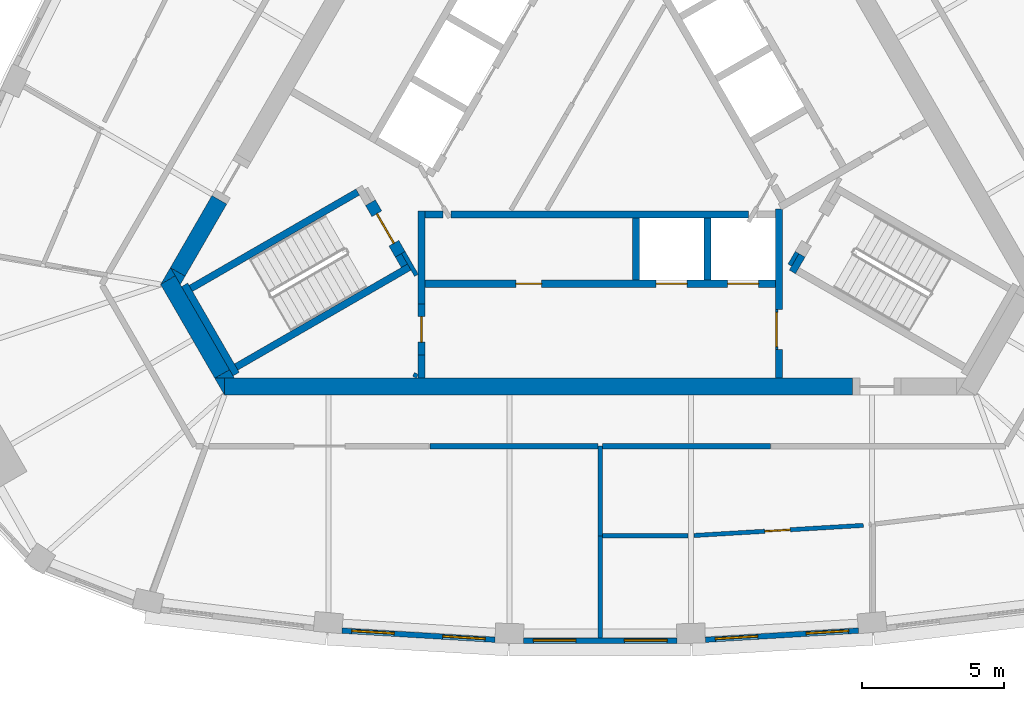
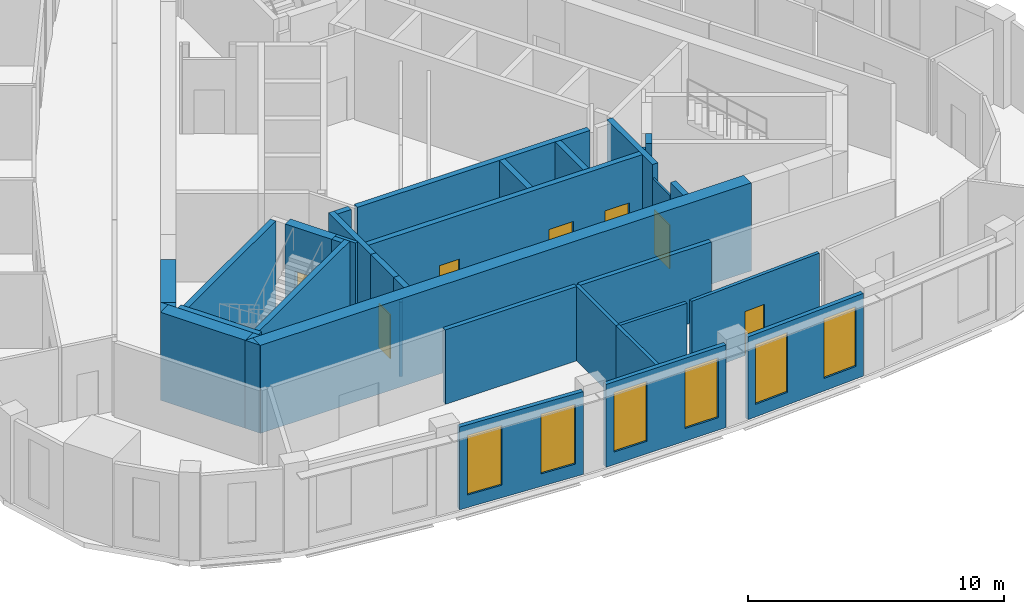
# One storey, part 3 of 10: 36 walls, 7 doors, 6 windows, 13 openings.
"""IFC4 building model written with IfcOpenShell, lengths in metres."""

from ifc_helpers import new_model, si_unit, direction, frame, frame_2d, origin, place, context, subcontext, project, spatial, polyline, rectangle, outline, extrude, material, layer, layer_set, type_object, element, fill, save


model = new_model("IFC4")

# Units and contexts
model_context = context("Model", 3, precision=1e-05, world=origin(), true_north=direction((0.0, 1.0)))
body_context = subcontext(model_context, "Body", "Model", "MODEL_VIEW")
ifc_project = project(units=[si_unit("LENGTHUNIT", "METRE"), si_unit("AREAUNIT", "SQUARE_METRE"), si_unit("VOLUMEUNIT", "CUBIC_METRE"), si_unit("PLANEANGLEUNIT", "RADIAN"), si_unit("MASSUNIT", "GRAM", prefix="KILO")], contexts=[model_context])

# Site, building, storey
site_placement = place(None, origin())
site = spatial("IfcSite", under=ifc_project, at=site_placement, CompositionType="ELEMENT")
building_placement = place(site_placement, origin())
building = spatial("IfcBuilding", under=site, at=building_placement, Name="Mestral Congress Tower", CompositionType="ELEMENT")
storey_placement = place(building_placement, frame((0.0, 0.0, 300.60009765625)))
storey = spatial("IfcBuildingStorey", under=building, at=storey_placement, Name="L70", CompositionType="ELEMENT", Elevation=300.60009765625)

# Walls
ifc_material_1 = material(Name="Fire-rated board partition")
ifc_layer_1 = layer(ifc_material_1, 0.14990234375)
ifc_layer_set_1 = layer_set([ifc_layer_1], Name="Fire-rated board partition")
wall_type_1 = type_object("IfcWallType", Name="Core partition 150", PredefinedType="PARTITIONING", material=ifc_layer_set_1)
wall_1_placement = place(storey_placement, frame((6.94482421875, -5.22216796875, 0.0), z_axis=(0.0, 0.0, 1.0), x_axis=(-0.499818422106, -0.866130212453, 0.0)))
element("IfcWall", 1, at=wall_1_placement, inside=storey, type_object=wall_type_1, Name="L70 core wall", PredefinedType="PARTITIONING", context=body_context, shape_type="SweptSolid", body=[
    extrude(rectangle(XDim=0.513916015625, YDim=0.14990234375, at=frame_2d((0.2568359375, 0.0))), origin(), (0.0, 0.0, 1.0), 3.5498046875),
])
wall_2_placement = place(storey_placement, frame((-6.552978515625, -9.6181640625, 0.0), z_axis=(0.0, 0.0, 1.0), x_axis=(0.499915430684, 0.866074224396, 0.0)))
element("IfcWall", 2, at=wall_2_placement, inside=storey, type_object=wall_type_1, Name="L70 core wall", PredefinedType="PARTITIONING", context=body_context, shape_type="SweptSolid", body=[
    extrude(rectangle(XDim=0.14599609375, YDim=0.14990234375, at=frame_2d((0.072998046875, 0.0))), origin(), (0.0, 0.0, 1.0), 3.5498046875),
])

# Wall, opening, door
ifc_layer_2 = layer(ifc_material_1, 0.090087890625)
ifc_layer_set_2 = layer_set([ifc_layer_2], Name="Fire-rated board partition")
wall_type_2 = type_object("IfcWallType", Name="Core partition 150 door-wall 90", PredefinedType="PARTITIONING", material=ifc_layer_set_2)
wall_3_placement = place(storey_placement, frame((6.219970703125, -7.23681640625, 0.0), z_axis=(0.0, 0.0, 1.0), x_axis=(0.0, -1.0, 0.0)))
wall_3 = element("IfcWall", 3, at=wall_3_placement, inside=storey, type_object=wall_type_2, Name="L70 door wall", PredefinedType="PARTITIONING", context=body_context, shape_type="SweptSolid", body=[
    extrude(rectangle(XDim=1.400146484375, YDim=0.090087890625, at=frame_2d((0.7001953125, 0.0))), origin(), (0.0, 0.0, 1.0), 3.5498046875),
])
opening_1_placement = place(wall_3_placement, frame((0.10009765625, 0.0, 0.0)))
opening_1 = element("IfcOpeningElement", 4, at=opening_1_placement, cuts=wall_3, Name="Opening LB0-WL1", PredefinedType="OPENING", context=body_context, shape_type="SweptSolid", body=[
    extrude(rectangle(XDim=1.199951171875, YDim=2.10009765625, at=frame_2d((0.60009765625, 1.050048828125))), frame((0.0, 0.054931640625, 0.0), z_axis=(0.0, -1.0, 0.0), x_axis=(1.0, 0.0, 0.0)), (0.0, 0.0, 1.0), 0.110107421875),
])
ifc_material_2 = material(Name="Fire-rated steel door set", Category="steel")
door_type_1 = type_object("IfcDoorType", Name="Core door LB 1200x2100", OperationType="SINGLE_SWING_LEFT", PredefinedType="DOOR", material=ifc_material_2)
door_1_placement = place(opening_1_placement, origin())
door_1 = element("IfcDoor", 5, at=door_1_placement, inside=storey, type_object=door_type_1, Name="Door LB0-WL1", OperationType="SINGLE_SWING_LEFT", OverallHeight=2.10009765625, OverallWidth=1.199951171875, PredefinedType="DOOR", context=body_context, shape_type="SweptSolid", body=[
    extrude(rectangle(XDim=1.199951171875, YDim=2.10009765625, at=frame_2d((0.60009765625, 1.050048828125))), frame((0.0, 0.02490234375, 0.0), z_axis=(0.0, -1.0, 0.0), x_axis=(1.0, 0.0, 0.0)), (0.0, 0.0, 1.0), 0.050048828125),
])
fill(opening_1, door_1)

# Walls
ifc_material_3 = material(Name="Concrete C60/75", Category="concrete")
ifc_layer_3 = layer(ifc_material_3, 0.60009765625)
ifc_layer_set_3 = layer_set([ifc_layer_3], Name="Concrete C60/75")
wall_type_3 = type_object("IfcWallType", Name="Core wall RC 600", PredefinedType="SOLIDWALL", material=ifc_layer_set_3)
wall_4_placement = place(storey_placement, frame((8.904296875, -9.949951171875, 0.0), z_axis=(0.0, 0.0, 1.0), x_axis=(-1.0, 0.0, 0.0)))
element("IfcWall", 6, at=wall_4_placement, inside=storey, type_object=wall_type_3, Name="L70 core wall", PredefinedType="SOLIDWALL", context=body_context, shape_type="SweptSolid", body=[
    extrude(rectangle(XDim=22.160888671875, YDim=0.60009765625, at=frame_2d((11.08056640625, 0.0))), origin(), (0.0, 0.0, 1.0), 4.199951171875),
])
placement = place(storey_placement, origin())
element("IfcWall", 7, at=placement, inside=storey, type_object=wall_type_3, Name="L70 core wall", PredefinedType="SOLIDWALL", context=body_context, shape_type="SweptSolid", body=[
    extrude(outline(polyline([(-13.5966796875, -9.64990234375), (-13.258544921875, -9.64990234375), (-13.258544921875, -10.235595703125), (-13.5966796875, -9.64990234375)])), origin(), (0.0, 0.0, 1.0), 4.199951171875),
])
wall_6_placement = place(storey_placement, frame((-13.33349609375, -9.505615234375, 0.0), z_axis=(0.0, 0.0, 1.0), x_axis=(-0.500019073792, 0.866014391245, 0.0)))
element("IfcWall", 8, at=wall_6_placement, inside=storey, type_object=wall_type_3, Name="L70 core wall", PredefinedType="SOLIDWALL", context=body_context, shape_type="SweptSolid", body=[
    extrude(rectangle(XDim=3.823486328125, YDim=0.60009765625, at=frame_2d((1.91162109375, 0.0))), origin(), (0.0, 0.0, 1.0), 4.199951171875),
])
element("IfcWall", 9, at=placement, inside=storey, type_object=wall_type_3, Name="L70 core wall", PredefinedType="SOLIDWALL", context=body_context, shape_type="SweptSolid", body=[
    extrude(outline(polyline([(-14.986572265625, -6.042724609375), (-15.493408203125, -6.33544921875), (-15.155517578125, -5.75), (-14.986572265625, -6.042724609375)])), origin(), (0.0, 0.0, 1.0), 4.199951171875),
])
element("IfcWall", 10, at=placement, inside=storey, type_object=wall_type_3, Name="L70 core wall", PredefinedType="SOLIDWALL", context=body_context, shape_type="SweptSolid", body=[
    extrude(outline(polyline([(-12.90380859375, -9.64990234375), (-13.579833984375, -9.64990234375), (-13.07275390625, -9.357421875), (-12.90380859375, -9.64990234375)])), origin(), (0.0, 0.0, 1.0), 4.199951171875),
])
wall_9_placement = place(storey_placement, frame((-13.431640625, -3.3642578125, 0.0), z_axis=(0.0, 0.0, 1.0), x_axis=(-0.499960127962, -0.866048422692, 0.0)))
element("IfcWall", 11, at=wall_9_placement, inside=storey, type_object=wall_type_3, Name="L70 core wall", PredefinedType="SOLIDWALL", context=body_context, shape_type="SweptSolid", body=[
    extrude(rectangle(XDim=2.934326171875, YDim=0.60009765625, at=frame_2d((1.46728515625, 0.0))), origin(), (0.0, 0.0, 1.0), 4.199951171875),
])
element("IfcWall", 12, at=placement, inside=storey, type_object=wall_type_3, Name="L70 core wall", PredefinedType="SOLIDWALL", context=body_context, shape_type="SweptSolid", body=[
    extrude(outline(polyline([(-14.80908203125, -6.35009765625), (-15.147216796875, -5.764404296875), (-14.639892578125, -6.057373046875), (-14.80908203125, -6.35009765625)])), origin(), (0.0, 0.0, 1.0), 4.199951171875),
])

# Wall, openings, windows
ifc_material_4 = material(Name="Precast concrete C40/50 with limestone facing", Category="masonry")
ifc_layer_4 = layer(ifc_material_4, 0.18994140625)
ifc_layer_set_4 = layer_set([ifc_layer_4], Name="Precast concrete C40/50 with limestone facing")
wall_type_4 = type_object("IfcWallType", Name="Facade stone wall 190", PredefinedType="SOLIDWALL", material=ifc_layer_set_4)
wall_11_placement = place(storey_placement, frame((-9.106689453125, -18.557861328125, 0.0), z_axis=(0.0, 0.0, 1.0), x_axis=(0.998221492823, -0.059614186786, 0.0)))
wall_11 = element("IfcWall", 13, at=wall_11_placement, inside=storey, type_object=wall_type_4, Name="Facade wall F0-01", PredefinedType="SOLIDWALL", context=body_context, shape_type="SweptSolid", body=[
    extrude(rectangle(XDim=5.40576171875, YDim=0.18994140625, at=frame_2d((2.702880859375, 0.0))), origin(), (0.0, 0.0, 1.0), 3.949951171875),
])
opening_2_placement = place(wall_11_placement, frame((0.346435546875, 0.0, 0.60009765625)))
opening_2 = element("IfcOpeningElement", 14, at=opening_2_placement, cuts=wall_11, Name="Opening W6", PredefinedType="OPENING", context=body_context, shape_type="SweptSolid", body=[
    extrude(rectangle(XDim=1.5, YDim=2.85009765625, at=frame_2d((0.75, 1.425048828125))), frame((0.0, 0.10498046875, 0.0), z_axis=(0.0, -1.0, 0.0), x_axis=(1.0, 0.0, 0.0)), (0.0, 0.0, 1.0), 0.2099609375),
])
opening_3_placement = place(wall_11_placement, frame((3.559326171875, 0.0, 0.60009765625)))
opening_3 = element("IfcOpeningElement", 15, at=opening_3_placement, cuts=wall_11, Name="Opening W6", PredefinedType="OPENING", context=body_context, shape_type="SweptSolid", body=[
    extrude(rectangle(XDim=1.5, YDim=2.85009765625, at=frame_2d((0.75, 1.425048828125))), frame((0.0, 0.10498046875, 0.0), z_axis=(0.0, -1.0, 0.0), x_axis=(1.0, 0.0, 0.0)), (0.0, 0.0, 1.0), 0.2099609375),
])
ifc_material_5 = material(Name="Clear low-emissivity double glazing", Category="glass")
window_type = type_object("IfcWindowType", Name="Facade punched window 1500 x 2850 sill 600", PartitioningType="SINGLE_PANEL", PredefinedType="WINDOW", material=ifc_material_5)
window_1_placement = place(opening_2_placement, origin())
window_1 = element("IfcWindow", 16, at=window_1_placement, inside=storey, type_object=window_type, Name="Window F0-01a", OverallHeight=2.85009765625, OverallWidth=1.5, PartitioningType="SINGLE_PANEL", PredefinedType="WINDOW", context=body_context, shape_type="SweptSolid", body=[
    extrude(rectangle(XDim=1.5, YDim=2.85009765625, at=frame_2d((0.75, 1.425048828125))), frame((0.0, 0.044921875, 0.0), z_axis=(0.0, -1.0, 0.0), x_axis=(1.0, 0.0, 0.0)), (0.0, 0.0, 1.0), 0.06005859375),
])
fill(opening_2, window_1)
window_2_placement = place(opening_3_placement, origin())
window_2 = element("IfcWindow", 17, at=window_2_placement, inside=storey, type_object=window_type, Name="Window F0-01b", OverallHeight=2.85009765625, OverallWidth=1.5, PartitioningType="SINGLE_PANEL", PredefinedType="WINDOW", context=body_context, shape_type="SweptSolid", body=[
    extrude(rectangle(XDim=1.5, YDim=2.85009765625, at=frame_2d((0.75, 1.425048828125))), frame((0.0, 0.044921875, 0.0), z_axis=(0.0, -1.0, 0.0), x_axis=(1.0, 0.0, 0.0)), (0.0, 0.0, 1.0), 0.06005859375),
])
fill(opening_3, window_2)

wall_12_placement = place(storey_placement, frame((-2.702880859375, -18.91015625, 0.0), z_axis=(0.0, 0.0, 1.0), x_axis=(1.0, 0.0, 0.0)))
wall_12 = element("IfcWall", 18, at=wall_12_placement, inside=storey, type_object=wall_type_4, Name="Facade wall F0-02", PredefinedType="SOLIDWALL", context=body_context, shape_type="SweptSolid", body=[
    extrude(rectangle(XDim=5.40576171875, YDim=0.18994140625, at=frame_2d((2.702880859375, 0.0))), origin(), (0.0, 0.0, 1.0), 3.949951171875),
])
opening_4_placement = place(wall_12_placement, frame((0.346435546875, 0.0, 0.60009765625)))
opening_4 = element("IfcOpeningElement", 19, at=opening_4_placement, cuts=wall_12, Name="Opening W6", PredefinedType="OPENING", context=body_context, shape_type="SweptSolid", body=[
    extrude(rectangle(XDim=1.5, YDim=2.85009765625, at=frame_2d((0.75, 1.425048828125))), frame((0.0, 0.10498046875, 0.0), z_axis=(0.0, -1.0, 0.0), x_axis=(1.0, 0.0, 0.0)), (0.0, 0.0, 1.0), 0.2099609375),
])
opening_5_placement = place(wall_12_placement, frame((3.5595703125, 0.0, 0.60009765625)))
opening_5 = element("IfcOpeningElement", 20, at=opening_5_placement, cuts=wall_12, Name="Opening W6", PredefinedType="OPENING", context=body_context, shape_type="SweptSolid", body=[
    extrude(rectangle(XDim=1.5, YDim=2.85009765625, at=frame_2d((0.75, 1.425048828125))), frame((0.0, 0.10498046875, 0.0), z_axis=(0.0, -1.0, 0.0), x_axis=(1.0, 0.0, 0.0)), (0.0, 0.0, 1.0), 0.2099609375),
])
window_3_placement = place(opening_4_placement, origin())
window_3 = element("IfcWindow", 21, at=window_3_placement, inside=storey, type_object=window_type, Name="Window F0-02a", OverallHeight=2.85009765625, OverallWidth=1.5, PartitioningType="SINGLE_PANEL", PredefinedType="WINDOW", context=body_context, shape_type="SweptSolid", body=[
    extrude(rectangle(XDim=1.5, YDim=2.85009765625, at=frame_2d((0.75, 1.425048828125))), frame((0.0, 0.044921875, 0.0), z_axis=(0.0, -1.0, 0.0), x_axis=(1.0, 0.0, 0.0)), (0.0, 0.0, 1.0), 0.06005859375),
])
fill(opening_4, window_3)
window_4_placement = place(opening_5_placement, origin())
window_4 = element("IfcWindow", 22, at=window_4_placement, inside=storey, type_object=window_type, Name="Window F0-02b", OverallHeight=2.85009765625, OverallWidth=1.5, PartitioningType="SINGLE_PANEL", PredefinedType="WINDOW", context=body_context, shape_type="SweptSolid", body=[
    extrude(rectangle(XDim=1.5, YDim=2.85009765625, at=frame_2d((0.75, 1.425048828125))), frame((0.0, 0.044921875, 0.0), z_axis=(0.0, -1.0, 0.0), x_axis=(1.0, 0.0, 0.0)), (0.0, 0.0, 1.0), 0.06005859375),
])
fill(opening_5, window_4)

wall_13_placement = place(storey_placement, frame((3.71044921875, -18.880126953125, 0.0), z_axis=(0.0, 0.0, 1.0), x_axis=(0.998221492823, 0.059614186786, 0.0)))
wall_13 = element("IfcWall", 23, at=wall_13_placement, inside=storey, type_object=wall_type_4, Name="Facade wall F0-03", PredefinedType="SOLIDWALL", context=body_context, shape_type="SweptSolid", body=[
    extrude(rectangle(XDim=5.40576171875, YDim=0.18994140625, at=frame_2d((2.702880859375, 0.0))), origin(), (0.0, 0.0, 1.0), 3.949951171875),
])
opening_6_placement = place(wall_13_placement, frame((0.346435546875, 0.0, 0.60009765625)))
opening_6 = element("IfcOpeningElement", 24, at=opening_6_placement, cuts=wall_13, Name="Opening W6", PredefinedType="OPENING", context=body_context, shape_type="SweptSolid", body=[
    extrude(rectangle(XDim=1.5, YDim=2.85009765625, at=frame_2d((0.75, 1.425048828125))), frame((0.0, 0.10498046875, 0.0), z_axis=(0.0, -1.0, 0.0), x_axis=(1.0, 0.0, 0.0)), (0.0, 0.0, 1.0), 0.2099609375),
])
opening_7_placement = place(wall_13_placement, frame((3.559326171875, 0.0, 0.60009765625)))
opening_7 = element("IfcOpeningElement", 25, at=opening_7_placement, cuts=wall_13, Name="Opening W6", PredefinedType="OPENING", context=body_context, shape_type="SweptSolid", body=[
    extrude(rectangle(XDim=1.5, YDim=2.85009765625, at=frame_2d((0.75, 1.425048828125))), frame((0.0, 0.10498046875, 0.0), z_axis=(0.0, -1.0, 0.0), x_axis=(1.0, 0.0, 0.0)), (0.0, 0.0, 1.0), 0.2099609375),
])
window_5_placement = place(opening_6_placement, origin())
window_5 = element("IfcWindow", 26, at=window_5_placement, inside=storey, type_object=window_type, Name="Window F0-03a", OverallHeight=2.85009765625, OverallWidth=1.5, PartitioningType="SINGLE_PANEL", PredefinedType="WINDOW", context=body_context, shape_type="SweptSolid", body=[
    extrude(rectangle(XDim=1.5, YDim=2.85009765625, at=frame_2d((0.75, 1.425048828125))), frame((0.0, 0.044921875, 0.0), z_axis=(0.0, -1.0, 0.0), x_axis=(1.0, 0.0, 0.0)), (0.0, 0.0, 1.0), 0.06005859375),
])
fill(opening_6, window_5)
window_6_placement = place(opening_7_placement, origin())
window_6 = element("IfcWindow", 27, at=window_6_placement, inside=storey, type_object=window_type, Name="Window F0-03b", OverallHeight=2.85009765625, OverallWidth=1.5, PartitioningType="SINGLE_PANEL", PredefinedType="WINDOW", context=body_context, shape_type="SweptSolid", body=[
    extrude(rectangle(XDim=1.5, YDim=2.85009765625, at=frame_2d((0.75, 1.425048828125))), frame((0.0, 0.044921875, 0.0), z_axis=(0.0, -1.0, 0.0), x_axis=(1.0, 0.0, 0.0)), (0.0, 0.0, 1.0), 0.06005859375),
])
fill(opening_7, window_6)

# Walls
ifc_material_6 = material(Name="Plasterboard partition on steel studs", Category="steel")
ifc_layer_5 = layer(ifc_material_6, 0.14990234375)
ifc_layer_set_5 = layer_set([ifc_layer_5], Name="Plasterboard partition on steel studs")
wall_type_5 = type_object("IfcWallType", Name="Office partition 150", PredefinedType="PARTITIONING", material=ifc_layer_set_5)
wall_14_placement = place(storey_placement, frame((0.0, -15.211181640625, 0.0), z_axis=(0.0, 0.0, 1.0), x_axis=(0.0, -1.0, 0.0)))
element("IfcWall", 28, at=wall_14_placement, inside=storey, type_object=wall_type_5, Name="Partition", PredefinedType="PARTITIONING", context=body_context, shape_type="SweptSolid", body=[
    extrude(rectangle(XDim=3.60400390625, YDim=0.14990234375, at=frame_2d((1.802001953125, 0.0))), origin(), (0.0, 0.0, 1.0), 3.5498046875),
])
wall_15_placement = place(storey_placement, frame((0.0, -12.050048828125, 0.0), z_axis=(0.0, 0.0, 1.0), x_axis=(0.0, -1.0, 0.0)))
element("IfcWall", 29, at=wall_15_placement, inside=storey, type_object=wall_type_5, Name="Partition", PredefinedType="PARTITIONING", context=body_context, shape_type="SweptSolid", body=[
    extrude(rectangle(XDim=3.169189453125, YDim=0.14990234375, at=frame_2d((1.58447265625, 0.0))), origin(), (0.0, 0.0, 1.0), 3.5498046875),
])
wall_16_placement = place(storey_placement, frame((0.074951171875, -15.215087890625, 0.0), z_axis=(0.0, 0.0, 1.0), x_axis=(1.0, 0.0, 0.0)))
element("IfcWall", 30, at=wall_16_placement, inside=storey, type_object=wall_type_5, Name="Partition", PredefinedType="PARTITIONING", context=body_context, shape_type="SweptSolid", body=[
    extrude(rectangle(XDim=3.02197265625, YDim=0.14990234375, at=frame_2d((1.510986328125, 0.0))), origin(), (0.0, 0.0, 1.0), 3.5498046875),
])

# Wall, opening, door
wall_17_placement = place(storey_placement, frame((9.279541015625, -14.845947265625, 0.0), z_axis=(0.0, 0.0, 1.0), x_axis=(-0.998221600551, -0.059612382886, 0.0)))
wall_17 = element("IfcWall", 31, at=wall_17_placement, inside=storey, type_object=wall_type_5, Name="Partition", PredefinedType="PARTITIONING", context=body_context, shape_type="SweptSolid", body=[
    extrude(rectangle(XDim=5.9794921875, YDim=0.14990234375, at=frame_2d((2.98974609375, 0.0))), origin(), (0.0, 0.0, 1.0), 3.5498046875),
])
opening_8_placement = place(wall_17_placement, frame((2.57958984375, 0.0, 0.0)))
opening_8 = element("IfcOpeningElement", 32, at=opening_8_placement, cuts=wall_17, Name="Opening O13-002", PredefinedType="OPENING", context=body_context, shape_type="SweptSolid", body=[
    extrude(rectangle(XDim=0.89990234375, YDim=2.10009765625, at=frame_2d((0.449951171875, 1.050048828125))), frame((0.0, 0.0849609375, 0.0), z_axis=(0.0, -1.0, 0.0), x_axis=(1.0, 0.0, 0.0)), (0.0, 0.0, 1.0), 0.169921875),
])
ifc_material_7 = material(Name="Timber door set", Category="wood")
door_type_2 = type_object("IfcDoorType", Name="Office door 900x2100", OperationType="SINGLE_SWING_LEFT", PredefinedType="DOOR", material=ifc_material_7)
door_2_placement = place(opening_8_placement, origin())
door_2 = element("IfcDoor", 33, at=door_2_placement, inside=storey, type_object=door_type_2, Name="Door O13-002", OperationType="SINGLE_SWING_RIGHT", OverallHeight=2.10009765625, OverallWidth=0.89990234375, PredefinedType="DOOR", context=body_context, shape_type="SweptSolid", body=[
    extrude(rectangle(XDim=0.89990234375, YDim=2.10009765625, at=frame_2d((0.449951171875, 1.050048828125))), frame((0.0, 0.02490234375, 0.0), z_axis=(0.0, -1.0, 0.0), x_axis=(1.0, 0.0, 0.0)), (0.0, 0.0, 1.0), 0.050048828125),
])
fill(opening_8, door_2)

# Walls
ifc_material_8 = material(Name="Dense masonry wall, plastered", Category="masonry")
ifc_layer_6 = layer(ifc_material_8, 0.199951171875)
ifc_layer_set_6 = layer_set([ifc_layer_6], Name="Dense masonry wall, plastered")
wall_type_6 = type_object("IfcWallType", Name="Office tenancy wall 200", PredefinedType="PARTITIONING", material=ifc_layer_set_6)
for number, where, z_axis, x_axis, name in (
    (34, (-6.0, -12.050048828125, 0.0), (0.0, 0.0, 1.0), (1.0, 0.0, 0.0), "Tenancy wall"),
    (35, (0.074951171875, -12.050048828125, 0.0), (0.0, 0.0, 1.0), (1.0, 0.0, 0.0), "Tenancy wall"),
):
    element("IfcWall", number, at=place(storey_placement, frame(where, z_axis=z_axis, x_axis=x_axis)), inside=storey, type_object=wall_type_6, Name=name, PredefinedType="PARTITIONING", context=body_context, shape_type="SweptSolid", body=[
        extrude(rectangle(XDim=5.925048828125, YDim=0.199951171875, at=frame_2d((2.96240234375, 0.0))), origin(), (0.0, 0.0, 1.0), 3.5498046875),
    ])
ifc_layer_7 = layer(ifc_material_3, 0.25)
ifc_layer_set_7 = layer_set([ifc_layer_7], Name="Concrete C60/75")
wall_type_7 = type_object("IfcWallType", Name="Shaft wall RC 250", PredefinedType="SOLIDWALL", material=ifc_layer_set_7)
wall_18_placement = place(storey_placement, frame((6.300048828125, -7.239990234375, 0.0), z_axis=(0.0, 0.0, 1.0), x_axis=(0.0, 1.0, 0.0)))
element("IfcWall", 36, at=wall_18_placement, inside=storey, type_object=wall_type_7, Name="L70 core wall", PredefinedType="SOLIDWALL", context=body_context, shape_type="SweptSolid", body=[
    extrude(rectangle(XDim=3.55615234375, YDim=0.25, at=frame_2d((1.778076171875, 0.0))), origin(), (0.0, 0.0, 1.0), 4.199951171875),
])
wall_19_placement = place(storey_placement, frame((6.300048828125, -9.64990234375, 0.0), z_axis=(0.0, 0.0, 1.0), x_axis=(0.0, 1.0, 0.0)))
element("IfcWall", 37, at=wall_19_placement, inside=storey, type_object=wall_type_7, Name="L70 core wall", PredefinedType="SOLIDWALL", context=body_context, shape_type="SweptSolid", body=[
    extrude(rectangle(XDim=1.0078125, YDim=0.25, at=frame_2d((0.50390625, 0.0))), origin(), (0.0, 0.0, 1.0), 4.199951171875),
])
wall_20_placement = place(storey_placement, frame((-5.25927734375, -3.875, 0.0), z_axis=(0.0, 0.0, 1.0), x_axis=(1.0, 0.0, 0.0)))
element("IfcWall", 38, at=wall_20_placement, inside=storey, type_object=wall_type_7, Name="L70 core wall", PredefinedType="SOLIDWALL", context=body_context, shape_type="SweptSolid", body=[
    extrude(rectangle(XDim=10.488525390625, YDim=0.25, at=frame_2d((5.244140625, 0.0))), origin(), (0.0, 0.0, 1.0), 4.199951171875),
])
for number, where, z_axis, x_axis, name in (
    (39, (1.260009765625, -4.0, 0.0), (0.0, 0.0, 1.0), (0.0, -1.0, 0.0), "L70 core wall"),
    (40, (3.780029296875, -4.0, 0.0), (0.0, 0.0, 1.0), (0.0, -1.0, 0.0), "L70 core wall"),
):
    element("IfcWall", number, at=place(storey_placement, frame(where, z_axis=z_axis, x_axis=x_axis)), inside=storey, type_object=wall_type_7, Name=name, PredefinedType="SOLIDWALL", context=body_context, shape_type="SweptSolid", body=[
        extrude(rectangle(XDim=2.199951171875, YDim=0.25, at=frame_2d((1.10009765625, 0.0))), origin(), (0.0, 0.0, 1.0), 4.199951171875),
    ])
wall_21_placement = place(storey_placement, frame((-6.300048828125, -7.033447265625, 0.0), z_axis=(0.0, 0.0, 1.0), x_axis=(0.0, 1.0, 0.0)))
element("IfcWall", 41, at=wall_21_placement, inside=storey, type_object=wall_type_7, Name="L70 core wall", PredefinedType="SOLIDWALL", context=body_context, shape_type="SweptSolid", body=[
    extrude(rectangle(XDim=3.283447265625, YDim=0.25, at=frame_2d((1.6416015625, 0.0))), origin(), (0.0, 0.0, 1.0), 4.199951171875),
])
wall_22_placement = place(storey_placement, frame((-6.175048828125, -3.875, 0.0), z_axis=(0.0, 0.0, 1.0), x_axis=(1.0, 0.0, 0.0)))
element("IfcWall", 42, at=wall_22_placement, inside=storey, type_object=wall_type_7, Name="L70 core wall", PredefinedType="SOLIDWALL", context=body_context, shape_type="SweptSolid", body=[
    extrude(rectangle(XDim=0.63671875, YDim=0.25, at=frame_2d((0.318359375, 0.0))), origin(), (0.0, 0.0, 1.0), 4.199951171875),
])
wall_23_placement = place(storey_placement, frame((-6.300048828125, -9.64990234375, 0.0), z_axis=(0.0, 0.0, 1.0), x_axis=(0.0, 1.0, 0.0)))
element("IfcWall", 43, at=wall_23_placement, inside=storey, type_object=wall_type_7, Name="L70 core wall", PredefinedType="SOLIDWALL", context=body_context, shape_type="SweptSolid", body=[
    extrude(rectangle(XDim=0.816162109375, YDim=0.25, at=frame_2d((0.408203125, 0.0))), origin(), (0.0, 0.0, 1.0), 4.199951171875),
])

# Wall, openings, doors
wall_24_placement = place(storey_placement, frame((-6.175048828125, -6.324951171875, 0.0), z_axis=(0.0, 0.0, 1.0), x_axis=(1.0, 0.0, 0.0)))
wall_24 = element("IfcWall", 44, at=wall_24_placement, inside=storey, type_object=wall_type_7, Name="L70 door wall", PredefinedType="SOLIDWALL", context=body_context, shape_type="SweptSolid", body=[
    extrude(rectangle(XDim=12.35009765625, YDim=0.25, at=frame_2d((6.175048828125, 0.0))), origin(), (0.0, 0.0, 1.0), 4.199951171875),
])
opening_9_placement = place(wall_24_placement, frame((3.205078125, 0.0, 0.0)))
opening_9 = element("IfcOpeningElement", 45, at=opening_9_placement, cuts=wall_24, Name="Opening SR-SOB1", PredefinedType="OPENING", context=body_context, shape_type="SweptSolid", body=[
    extrude(rectangle(XDim=0.89990234375, YDim=2.10009765625, at=frame_2d((0.449951171875, 1.050048828125))), frame((0.0, 0.135009765625, 0.0), z_axis=(0.0, -1.0, 0.0), x_axis=(1.0, 0.0, 0.0)), (0.0, 0.0, 1.0), 0.27001953125),
])
opening_10_placement = place(wall_24_placement, frame((8.14501953125, 0.0, 0.0)))
opening_10 = element("IfcOpeningElement", 46, at=opening_10_placement, cuts=wall_24, Name="Opening LD-SOB4", PredefinedType="OPENING", context=body_context, shape_type="SweptSolid", body=[
    extrude(rectangle(XDim=1.10009765625, YDim=2.10009765625, at=frame_2d((0.550048828125, 1.050048828125))), frame((0.0, 0.135009765625, 0.0), z_axis=(0.0, -1.0, 0.0), x_axis=(1.0, 0.0, 0.0)), (0.0, 0.0, 1.0), 0.27001953125),
])
opening_11_placement = place(wall_24_placement, frame((10.6650390625, 0.0, 0.0)))
opening_11 = element("IfcOpeningElement", 47, at=opening_11_placement, cuts=wall_24, Name="Opening LD-SOB5", PredefinedType="OPENING", context=body_context, shape_type="SweptSolid", body=[
    extrude(rectangle(XDim=1.10009765625, YDim=2.10009765625, at=frame_2d((0.550048828125, 1.050048828125))), frame((0.0, 0.135009765625, 0.0), z_axis=(0.0, -1.0, 0.0), x_axis=(1.0, 0.0, 0.0)), (0.0, 0.0, 1.0), 0.27001953125),
])
door_type_3 = type_object("IfcDoorType", Name="Core door LD 1100x2100", OperationType="DOUBLE_DOOR_SLIDING", PredefinedType="DOOR", material=ifc_material_2)
door_3_placement = place(opening_10_placement, origin())
door_3 = element("IfcDoor", 48, at=door_3_placement, inside=storey, type_object=door_type_3, Name="Door LD-SOB4", OperationType="DOUBLE_DOOR_SLIDING", OverallHeight=2.10009765625, OverallWidth=1.10009765625, PredefinedType="DOOR", context=body_context, shape_type="SweptSolid", body=[
    extrude(rectangle(XDim=1.10009765625, YDim=2.10009765625, at=frame_2d((0.550048828125, 1.050048828125))), frame((0.0, 0.02490234375, 0.0), z_axis=(0.0, -1.0, 0.0), x_axis=(1.0, 0.0, 0.0)), (0.0, 0.0, 1.0), 0.050048828125),
])
fill(opening_10, door_3)
door_4_placement = place(opening_11_placement, origin())
door_4 = element("IfcDoor", 49, at=door_4_placement, inside=storey, type_object=door_type_3, Name="Door LD-SOB5", OperationType="DOUBLE_DOOR_SLIDING", OverallHeight=2.10009765625, OverallWidth=1.10009765625, PredefinedType="DOOR", context=body_context, shape_type="SweptSolid", body=[
    extrude(rectangle(XDim=1.10009765625, YDim=2.10009765625, at=frame_2d((0.550048828125, 1.050048828125))), frame((0.0, 0.02490234375, 0.0), z_axis=(0.0, -1.0, 0.0), x_axis=(1.0, 0.0, 0.0)), (0.0, 0.0, 1.0), 0.050048828125),
])
fill(opening_11, door_4)
door_type_4 = type_object("IfcDoorType", Name="Core door SR 900x2100", OperationType="SINGLE_SWING_LEFT", PredefinedType="DOOR", material=ifc_material_2)
door_5_placement = place(opening_9_placement, origin())
door_5 = element("IfcDoor", 50, at=door_5_placement, inside=storey, type_object=door_type_4, Name="Door SR-SOB1", OperationType="SINGLE_SWING_LEFT", OverallHeight=2.10009765625, OverallWidth=0.89990234375, PredefinedType="DOOR", context=body_context, shape_type="SweptSolid", body=[
    extrude(rectangle(XDim=0.89990234375, YDim=2.10009765625, at=frame_2d((0.449951171875, 1.050048828125))), frame((0.0, 0.02490234375, 0.0), z_axis=(0.0, -1.0, 0.0), x_axis=(1.0, 0.0, 0.0)), (0.0, 0.0, 1.0), 0.050048828125),
])
fill(opening_9, door_5)

# Wall, opening, door
wall_25_placement = place(storey_placement, frame((-6.300048828125, -7.03369140625, 0.0), z_axis=(0.0, 0.0, 1.0), x_axis=(0.0, -1.0, 0.0)))
wall_25 = element("IfcWall", 51, at=wall_25_placement, inside=storey, type_object=wall_type_7, Name="L70 door wall", PredefinedType="SOLIDWALL", context=body_context, shape_type="SweptSolid", body=[
    extrude(rectangle(XDim=1.7998046875, YDim=0.25, at=frame_2d((0.89990234375, 0.0))), origin(), (0.0, 0.0, 1.0), 4.199951171875),
])
opening_12_placement = place(wall_25_placement, frame((0.449951171875, 0.0, 0.0)))
opening_12 = element("IfcOpeningElement", 52, at=opening_12_placement, cuts=wall_25, Name="Opening TD3", PredefinedType="OPENING", context=body_context, shape_type="SweptSolid", body=[
    extrude(rectangle(XDim=0.89990234375, YDim=2.10009765625, at=frame_2d((0.449951171875, 1.050048828125))), frame((0.0, 0.135009765625, 0.0), z_axis=(0.0, -1.0, 0.0), x_axis=(1.0, 0.0, 0.0)), (0.0, 0.0, 1.0), 0.27001953125),
])
door_6_placement = place(opening_12_placement, origin())
door_6 = element("IfcDoor", 53, at=door_6_placement, inside=storey, type_object=door_type_4, Name="Door TD3", OperationType="SINGLE_SWING_LEFT", OverallHeight=2.10009765625, OverallWidth=0.89990234375, PredefinedType="DOOR", context=body_context, shape_type="SweptSolid", body=[
    extrude(rectangle(XDim=0.89990234375, YDim=2.10009765625, at=frame_2d((0.449951171875, 1.050048828125))), frame((0.0, 0.02490234375, 0.0), z_axis=(0.0, -1.0, 0.0), x_axis=(1.0, 0.0, 0.0)), (0.0, 0.0, 1.0), 0.050048828125),
])
fill(opening_12, door_6)

# Walls
ifc_layer_8 = layer(ifc_material_3, 0.14990234375)
ifc_layer_set_8 = layer_set([ifc_layer_8], Name="Concrete C60/75")
wall_type_8 = type_object("IfcWallType", Name="Shaft wall RC 250 door-wall 150", PredefinedType="SOLIDWALL", material=ifc_layer_set_8)
wall_26_placement = place(storey_placement, frame((-6.48046875, -6.026611328125, 0.0), z_axis=(0.0, 0.0, 1.0), x_axis=(-0.499927229454, 0.866067413802, 0.0)))
element("IfcWall", 54, at=wall_26_placement, inside=storey, type_object=wall_type_8, Name="L70 core wall", PredefinedType="PARTITIONING", context=body_context, shape_type="SweptSolid", body=[
    extrude(rectangle(XDim=0.928955078125, YDim=0.14990234375, at=frame_2d((0.46435546875, 0.0))), origin(), (0.0, 0.0, 1.0), 4.199951171875),
])
ifc_layer_9 = layer(ifc_material_3, 0.25)
ifc_layer_set_9 = layer_set([ifc_layer_9], Name="Concrete C60/75")
wall_type_9 = type_object("IfcWallType", Name="Stair wall RC 250", PredefinedType="SOLIDWALL", material=ifc_layer_set_9)
wall_27_placement = place(storey_placement, frame((6.780029296875, -5.906494140625, 0.0), z_axis=(0.0, 0.0, 1.0), x_axis=(0.500223362819, 0.865896406789, 0.0)))
element("IfcWall", 55, at=wall_27_placement, inside=storey, type_object=wall_type_9, Name="L70 core wall", PredefinedType="SOLIDWALL", context=body_context, shape_type="SweptSolid", body=[
    extrude(rectangle(XDim=0.675048828125, YDim=0.25, at=frame_2d((0.33740234375, 0.0))), origin(), (0.0, 0.0, 1.0), 4.199951171875),
])
wall_28_placement = place(storey_placement, frame((-12.839599609375, -9.510986328125, 0.0), z_axis=(0.0, 0.0, 1.0), x_axis=(-0.499997733992, 0.866026712061, 0.0)))
element("IfcWall", 56, at=wall_28_placement, inside=storey, type_object=wall_type_9, Name="L70 core wall", PredefinedType="SOLIDWALL", context=body_context, shape_type="SweptSolid", body=[
    extrude(rectangle(XDim=3.6337890625, YDim=0.25, at=frame_2d((1.81689453125, 0.0))), origin(), (0.0, 0.0, 1.0), 4.199951171875),
])
wall_29_placement = place(storey_placement, frame((-14.43994140625, -6.489501953125, 0.0), z_axis=(0.0, 0.0, 1.0), x_axis=(0.866022966069, 0.500004222222, 0.0)))
element("IfcWall", 57, at=wall_29_placement, inside=storey, type_object=wall_type_9, Name="L70 core wall", PredefinedType="SOLIDWALL", context=body_context, shape_type="SweptSolid", body=[
    extrude(rectangle(XDim=6.80029296875, YDim=0.25, at=frame_2d((3.400146484375, 0.0))), origin(), (0.0, 0.0, 1.0), 4.199951171875),
])
wall_30_placement = place(storey_placement, frame((-12.83984375, -9.2607421875, 0.0), z_axis=(0.0, 0.0, 1.0), x_axis=(0.866016039709, 0.500016218704, 0.0)))
element("IfcWall", 58, at=wall_30_placement, inside=storey, type_object=wall_type_9, Name="L70 core wall", PredefinedType="SOLIDWALL", context=body_context, shape_type="SweptSolid", body=[
    extrude(rectangle(XDim=7.050048828125, YDim=0.25, at=frame_2d((3.52490234375, 0.0))), origin(), (0.0, 0.0, 1.0), 4.199951171875),
])
wall_31_placement = place(storey_placement, frame((-6.905029296875, -5.68994140625, 0.0), z_axis=(0.0, 0.0, 1.0), x_axis=(-0.500402024738, 0.865793170242, 0.0)))
element("IfcWall", 59, at=wall_31_placement, inside=storey, type_object=wall_type_9, Name="L70 core wall", PredefinedType="SOLIDWALL", context=body_context, shape_type="SweptSolid", body=[
    extrude(rectangle(XDim=0.425048828125, YDim=0.25, at=frame_2d((0.21240234375, 0.0))), origin(), (0.0, 0.0, 1.0), 4.199951171875),
])

# Wall, opening, door
ifc_layer_10 = layer(ifc_material_3, 0.39990234375)
ifc_layer_set_10 = layer_set([ifc_layer_10], Name="Concrete C60/75")
wall_type_10 = type_object("IfcWallType", Name="Stair wall RC 250 door-wall 400", PredefinedType="SOLIDWALL", material=ifc_layer_set_10)
wall_32_placement = place(storey_placement, frame((-8.102783203125, -3.4658203125, 0.0), z_axis=(0.0, 0.0, 1.0), x_axis=(0.500078061341, -0.865980330357, 0.0)))
wall_32 = element("IfcWall", 60, at=wall_32_placement, inside=storey, type_object=wall_type_10, Name="L70 door wall", PredefinedType="SOLIDWALL", context=body_context, shape_type="SweptSolid", body=[
    extrude(rectangle(XDim=2.099853515625, YDim=0.39990234375, at=frame_2d((1.0498046875, 0.0))), origin(), (0.0, 0.0, 1.0), 4.199951171875),
])
opening_13_placement = place(wall_32_placement, frame((0.449951171875, 0.0, 0.0)))
opening_13 = element("IfcOpeningElement", 61, at=opening_13_placement, cuts=wall_32, Name="Opening ST-D3", PredefinedType="OPENING", context=body_context, shape_type="SweptSolid", body=[
    extrude(rectangle(XDim=1.199951171875, YDim=2.10009765625, at=frame_2d((0.60009765625, 1.050048828125))), frame((0.0, 0.2099609375, 0.0), z_axis=(0.0, -1.0, 0.0), x_axis=(1.0, 0.0, 0.0)), (0.0, 0.0, 1.0), 0.419921875),
])
door_type_5 = type_object("IfcDoorType", Name="Core door ST 1200x2100", OperationType="SINGLE_SWING_LEFT", PredefinedType="DOOR", material=ifc_material_2)
door_7_placement = place(opening_13_placement, origin())
door_7 = element("IfcDoor", 62, at=door_7_placement, inside=storey, type_object=door_type_5, Name="Door ST-D3", OperationType="SINGLE_SWING_LEFT", OverallHeight=2.10009765625, OverallWidth=1.199951171875, PredefinedType="DOOR", context=body_context, shape_type="SweptSolid", body=[
    extrude(rectangle(XDim=1.199951171875, YDim=2.10009765625, at=frame_2d((0.60009765625, 1.050048828125))), frame((0.0, 0.02490234375, 0.0), z_axis=(0.0, -1.0, 0.0), x_axis=(1.0, 0.0, 0.0)), (0.0, 0.0, 1.0), 0.050048828125),
])
fill(opening_13, door_7)

save(model, "model.ifc")
